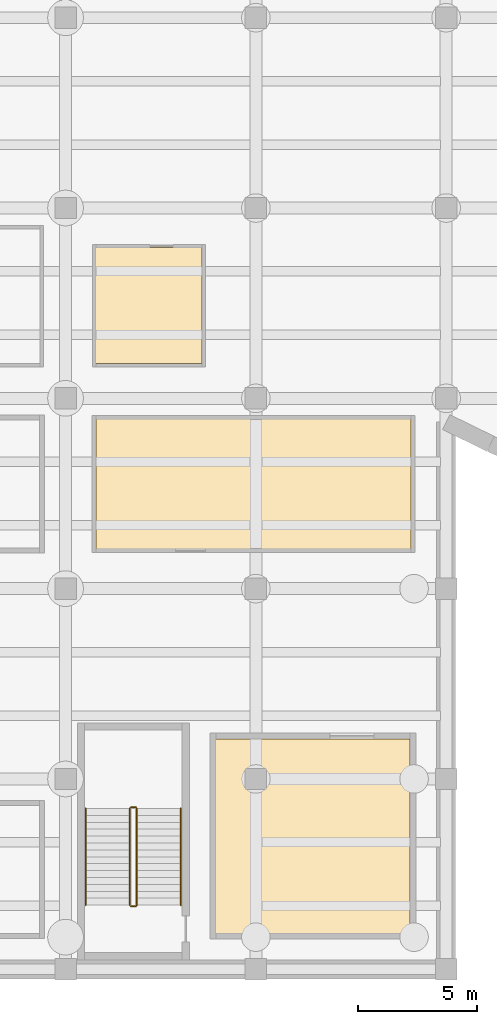
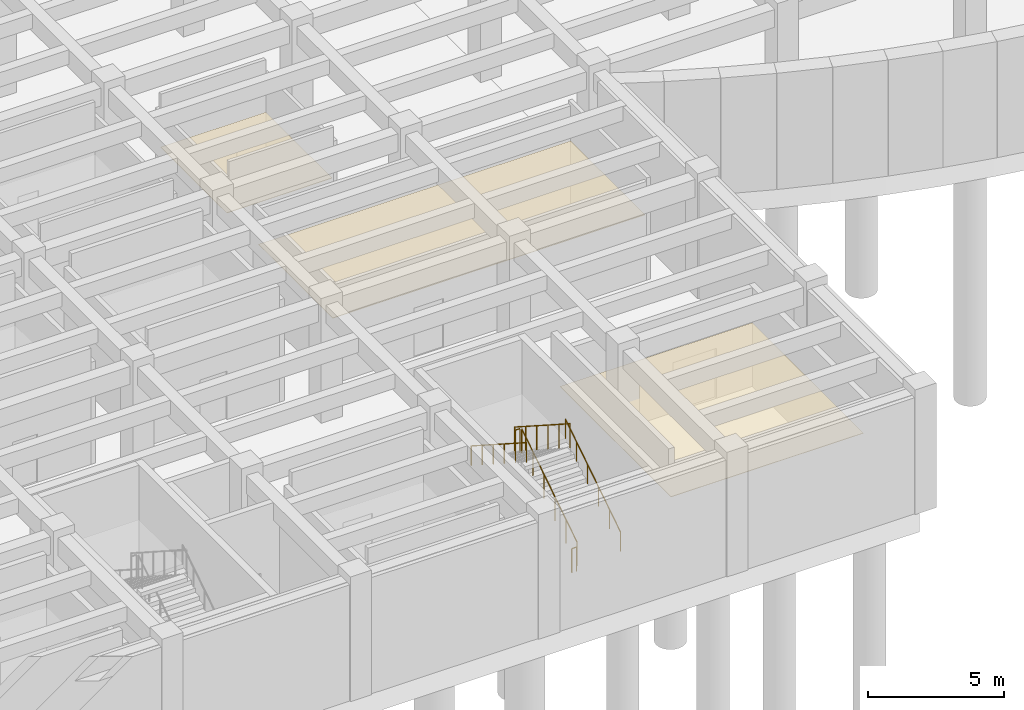
# One storey, part 15 of 18: 6 railings, 3 coverings.
"""IFC4 building model written with IfcOpenShell, lengths in metres."""

from ifc_helpers import new_model, si_unit, direction, frame, origin, origin_2d, place, context, subcontext, project, spatial, polyline, circle, outline, extrude, material, layer, layer_set, type_object, element, save


model = new_model("IFC4")

# Units and contexts
model_context = context("Model", 3, precision=1e-05, world=origin(), true_north=direction((0.0, 1.0)))
body_context = subcontext(model_context, "Body", "Model", "MODEL_VIEW")
ifc_project = project(units=[si_unit("LENGTHUNIT", "METRE"), si_unit("AREAUNIT", "SQUARE_METRE"), si_unit("VOLUMEUNIT", "CUBIC_METRE"), si_unit("PLANEANGLEUNIT", "RADIAN"), si_unit("MASSUNIT", "GRAM", prefix="KILO")], contexts=[model_context])

# Site, building, storey
site_placement = place(None, origin())
site = spatial("IfcSite", under=ifc_project, at=site_placement, CompositionType="ELEMENT")
building_placement = place(site_placement, origin())
building = spatial("IfcBuilding", under=site, at=building_placement, Name="Drelvath Fold Interchange", CompositionType="ELEMENT")
storey_placement = place(building_placement, frame((0.0, 0.0, -11.199951171875)))
storey = spatial("IfcBuildingStorey", under=building, at=storey_placement, Name="B2", CompositionType="ELEMENT", Elevation=-11.199951171875)

# Coverings
ifc_material_1 = material(Name="Perforated Aluminium Acoustic Ceiling", Category="aluminium")
ifc_layer = layer(ifc_material_1, 0.01806640625, Name="Perforated Aluminium Acoustic Ceiling")
ifc_layer_set = layer_set([ifc_layer], Name="Perforated Aluminium Acoustic Ceiling")
covering_type = type_object("IfcCoveringType", Name="CV-CEIL-AL18", PredefinedType="CEILING", material=ifc_layer_set)
covering_1_placement = place(storey_placement, frame((0.0, 0.0, 2.829833984375)))
element("IfcCovering", 1, at=covering_1_placement, inside=storey, type_object=covering_type, Name="South Tunnel Ventilation Plant Room acoustic ceiling", PredefinedType="CEILING", context=body_context, shape_type="SweptSolid", body=[
    extrude(outline(polyline([(42.31298828125, 4.512939453125), (50.487060546875, 4.512939453125), (50.487060546875, 12.68798828125), (42.31298828125, 12.68798828125), (42.31298828125, 4.512939453125)])), origin(), (0.0, 0.0, 1.0), 0.02001953125),
])
covering_2_placement = place(storey_placement, frame((0.0, 0.0, 2.829833984375)))
element("IfcCovering", 2, at=covering_2_placement, inside=storey, type_object=covering_type, Name="Track Maintenance Equipment Store acoustic ceiling", PredefinedType="CEILING", context=body_context, shape_type="SweptSolid", body=[
    extrude(outline(polyline([(37.27001953125, 20.669921875), (50.530029296875, 20.669921875), (50.530029296875, 26.1298828125), (37.27001953125, 26.1298828125), (37.27001953125, 20.669921875)])), origin(), (0.0, 0.0, 1.0), 0.02001953125),
])
covering_3_placement = place(storey_placement, frame((0.0, 0.0, 2.829833984375)))
element("IfcCovering", 3, at=covering_3_placement, inside=storey, type_object=covering_type, Name="Platform Accessible WC acoustic ceiling", PredefinedType="CEILING", context=body_context, shape_type="SweptSolid", body=[
    extrude(outline(polyline([(37.262939453125, 28.4619140625), (41.737060546875, 28.4619140625), (41.737060546875, 33.3369140625), (37.262939453125, 33.3369140625), (37.262939453125, 28.4619140625)])), origin(), (0.0, 0.0, 1.0), 0.02001953125),
])

# Railings
ifc_material_2 = material(Name="Stainless Steel 316L", Category="steel")
railing_type_1 = type_object("IfcRailingType", Name="RL-GRD1100", PredefinedType="GUARDRAIL", material=ifc_material_2)
railing_1_placement = place(storey_placement, frame((39.0, 5.699951171875, 0.1865234375)))
element("IfcRailing", 4, at=railing_1_placement, inside=storey, type_object=railing_type_1, Name="B2 ST-04 stair guard 1", PredefinedType="GUARDRAIL", context=body_context, shape_type="SweptSolid", body=[
    extrude(circle(Radius=0.02392578125, at=origin_2d()), frame((0.0, 0.0, 1.076171875), z_axis=(0.0, 0.840849756928, 0.541268589772), x_axis=(-1.0, 0.0, 0.0)), (0.0, 0.0, 1.0), 4.82861328125),
    extrude(circle(Radius=0.02099609375, at=origin_2d()), origin(), (0.0, 0.0, 1.0), 1.052001953125),
    extrude(circle(Radius=0.02099609375, at=origin_2d()), frame((0.0, 0.81201171875, 0.522705078125)), (0.0, 0.0, 1.0), 1.052001953125),
    extrude(circle(Radius=0.02099609375, at=origin_2d()), frame((0.0, 1.6240234375, 1.04541015625)), (0.0, 0.0, 1.0), 1.052001953125),
    extrude(circle(Radius=0.02099609375, at=origin_2d()), frame((0.0, 2.43603515625, 1.568115234375)), (0.0, 0.0, 1.0), 1.052001953125),
    extrude(circle(Radius=0.02099609375, at=origin_2d()), frame((0.0, 3.248046875, 2.0908203125)), (0.0, 0.0, 1.0), 1.052001953125),
    extrude(circle(Radius=0.02099609375, at=origin_2d()), frame((0.0, 4.06005859375, 2.613525390625)), (0.0, 0.0, 1.0), 1.052001953125),
])
railing_2_placement = place(storey_placement, frame((38.949951171875, 9.81005859375, 2.800048828125)))
element("IfcRailing", 5, at=railing_2_placement, inside=storey, type_object=railing_type_1, Name="B2 ST-04 stair guard 2", PredefinedType="GUARDRAIL", context=body_context, shape_type="SweptSolid", body=[
    extrude(circle(Radius=0.02392578125, at=origin_2d()), frame((0.0, 0.0, 1.076171875), z_axis=(-1.0, 0.0, 0.0), x_axis=(0.0, -1.0, 0.0)), (0.0, 0.0, 1.0), 0.199951171875),
    extrude(circle(Radius=0.02099609375, at=origin_2d()), origin(), (0.0, 0.0, 1.0), 1.052001953125),
    extrude(circle(Radius=0.02099609375, at=origin_2d()), frame((-0.199951171875, 0.0, 0.0)), (0.0, 0.0, 1.0), 1.052001953125),
])
railing_3_placement = place(storey_placement, frame((38.699951171875, 9.760009765625, 2.986572265625)))
element("IfcRailing", 6, at=railing_3_placement, inside=storey, type_object=railing_type_1, Name="B2 ST-04 stair guard 3", PredefinedType="GUARDRAIL", context=body_context, shape_type="SweptSolid", body=[
    extrude(circle(Radius=0.02392578125, at=origin_2d()), frame((0.0, 0.0, 1.076171875), z_axis=(0.0, -0.840872768958, 0.541232839382), x_axis=(1.0, 0.0, 0.0)), (0.0, 0.0, 1.0), 4.828369140625),
    extrude(circle(Radius=0.02099609375, at=origin_2d()), origin(), (0.0, 0.0, 1.0), 1.052001953125),
    extrude(circle(Radius=0.02099609375, at=origin_2d()), frame((0.0, -0.81201171875, 0.522705078125)), (0.0, 0.0, 1.0), 1.052001953125),
    extrude(circle(Radius=0.02099609375, at=origin_2d()), frame((0.0, -1.6240234375, 1.04541015625)), (0.0, 0.0, 1.0), 1.052001953125),
    extrude(circle(Radius=0.02099609375, at=origin_2d()), frame((0.0, -2.43603515625, 1.56787109375)), (0.0, 0.0, 1.0), 1.052001953125),
    extrude(circle(Radius=0.02099609375, at=origin_2d()), frame((0.0, -3.248046875, 2.090576171875)), (0.0, 0.0, 1.0), 1.052001953125),
    extrude(circle(Radius=0.02099609375, at=origin_2d()), frame((0.0, -4.06005859375, 2.61328125)), (0.0, 0.0, 1.0), 1.052001953125),
])
railing_4_placement = place(storey_placement, frame((38.949951171875, 5.64990234375, 0.0)))
element("IfcRailing", 7, at=railing_4_placement, inside=storey, type_object=railing_type_1, Name="B2 ST-04 stair guard 4", PredefinedType="GUARDRAIL", context=body_context, shape_type="SweptSolid", body=[
    extrude(circle(Radius=0.02392578125, at=origin_2d()), frame((0.0, 0.0, 1.076171875), z_axis=(-1.0, 0.0, 0.0), x_axis=(0.0, -1.0, 0.0)), (0.0, 0.0, 1.0), 0.199951171875),
    extrude(circle(Radius=0.02099609375, at=origin_2d()), origin(), (0.0, 0.0, 1.0), 1.052001953125),
    extrude(circle(Radius=0.02099609375, at=origin_2d()), frame((-0.199951171875, 0.0, 0.0)), (0.0, 0.0, 1.0), 1.052001953125),
])
railing_type_2 = type_object("IfcRailingType", Name="RL-HND920", PredefinedType="HANDRAIL", material=ifc_material_2)
railing_5_placement = place(storey_placement, frame((40.85009765625, 5.699951171875, 0.1865234375)))
element("IfcRailing", 8, at=railing_5_placement, inside=storey, type_object=railing_type_2, Name="B2 ST-04 stair handrail 1", PredefinedType="HANDRAIL", context=body_context, shape_type="SweptSolid", body=[
    extrude(circle(Radius=0.02392578125, at=origin_2d()), frame((0.0, 0.0, 0.8759765625), z_axis=(0.0, 0.840849756928, 0.541268589772), x_axis=(-1.0, 0.0, 0.0)), (0.0, 0.0, 1.0), 4.82861328125),
    extrude(circle(Radius=0.02099609375, at=origin_2d()), origin(), (0.0, 0.0, 1.0), 0.851806640625),
    extrude(circle(Radius=0.02099609375, at=origin_2d()), frame((0.0, 0.81201171875, 0.522705078125)), (0.0, 0.0, 1.0), 0.851806640625),
    extrude(circle(Radius=0.02099609375, at=origin_2d()), frame((0.0, 1.6240234375, 1.04541015625)), (0.0, 0.0, 1.0), 0.851806640625),
    extrude(circle(Radius=0.02099609375, at=origin_2d()), frame((0.0, 2.43603515625, 1.568115234375)), (0.0, 0.0, 1.0), 0.851806640625),
    extrude(circle(Radius=0.02099609375, at=origin_2d()), frame((0.0, 3.248046875, 2.0908203125)), (0.0, 0.0, 1.0), 0.851806640625),
    extrude(circle(Radius=0.02099609375, at=origin_2d()), frame((0.0, 4.06005859375, 2.613525390625)), (0.0, 0.0, 1.0), 0.851806640625),
])
railing_6_placement = place(storey_placement, frame((36.85009765625, 9.760009765625, 2.986572265625)))
element("IfcRailing", 9, at=railing_6_placement, inside=storey, type_object=railing_type_2, Name="B2 ST-04 stair handrail 2", PredefinedType="HANDRAIL", context=body_context, shape_type="SweptSolid", body=[
    extrude(circle(Radius=0.02392578125, at=origin_2d()), frame((0.0, 0.0, 0.8759765625), z_axis=(0.0, -0.840872768958, 0.541232839382), x_axis=(1.0, 0.0, 0.0)), (0.0, 0.0, 1.0), 4.828369140625),
    extrude(circle(Radius=0.02099609375, at=origin_2d()), origin(), (0.0, 0.0, 1.0), 0.851806640625),
    extrude(circle(Radius=0.02099609375, at=origin_2d()), frame((0.0, -0.81201171875, 0.522705078125)), (0.0, 0.0, 1.0), 0.851806640625),
    extrude(circle(Radius=0.02099609375, at=origin_2d()), frame((0.0, -1.6240234375, 1.04541015625)), (0.0, 0.0, 1.0), 0.851806640625),
    extrude(circle(Radius=0.02099609375, at=origin_2d()), frame((0.0, -2.43603515625, 1.56787109375)), (0.0, 0.0, 1.0), 0.851806640625),
    extrude(circle(Radius=0.02099609375, at=origin_2d()), frame((0.0, -3.248046875, 2.090576171875)), (0.0, 0.0, 1.0), 0.851806640625),
    extrude(circle(Radius=0.02099609375, at=origin_2d()), frame((0.0, -4.06005859375, 2.61328125)), (0.0, 0.0, 1.0), 0.851806640625),
])

save(model, "model.ifc")
